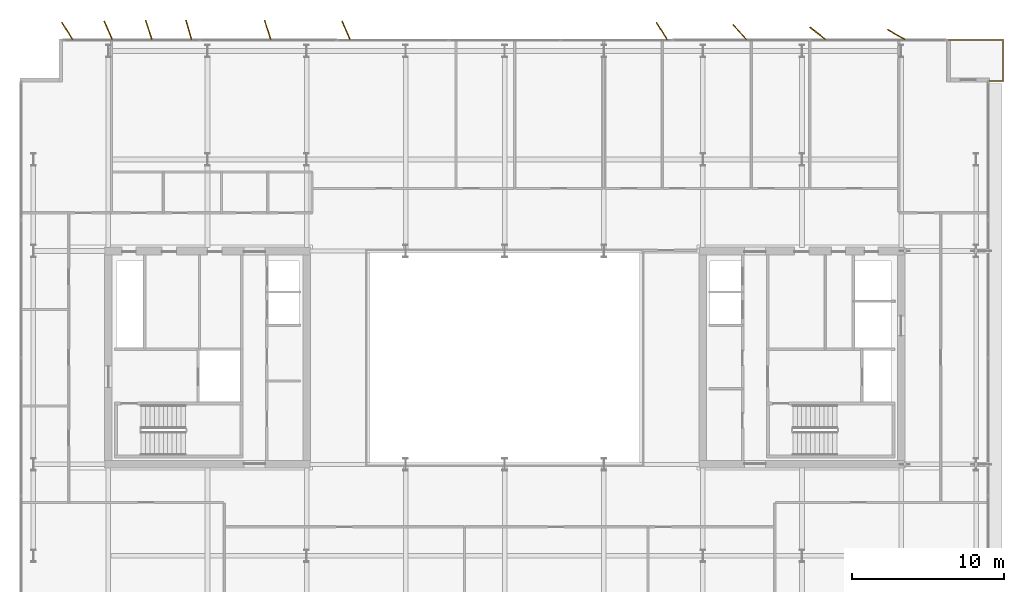
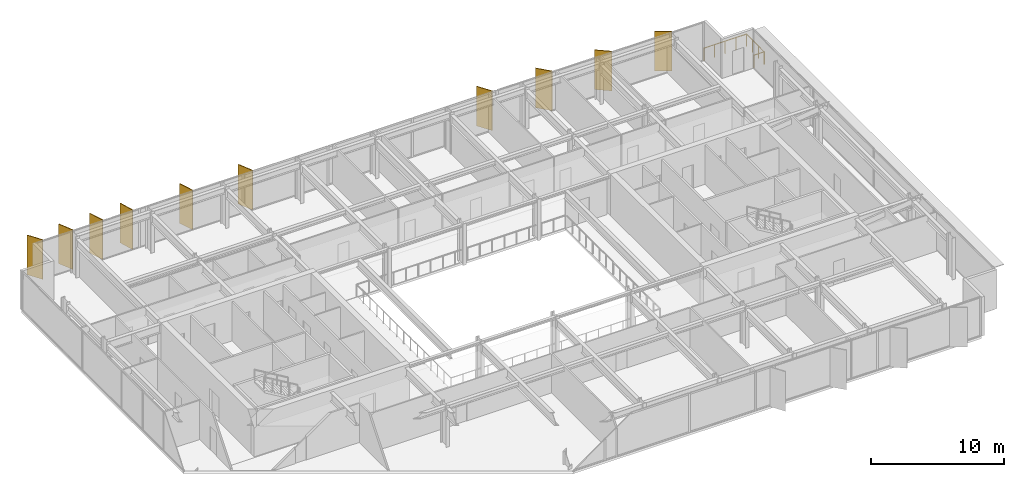
# One storey, part 19 of 19: 10 shading devices, 1 railing.
"""IFC4 building model written with IfcOpenShell, lengths in metres."""

from ifc_helpers import new_model, si_unit, direction, frame, origin, origin_2d, place, context, subcontext, project, spatial, rectangle, circle, extrude, material, layer, layer_set, type_object, element, save


model = new_model("IFC4")

# Units and contexts
model_context = context("Model", 3, precision=1e-05, world=origin(), true_north=direction((0.0, 1.0)))
body_context = subcontext(model_context, "Body", "Model", "MODEL_VIEW")
ifc_project = project(units=[si_unit("LENGTHUNIT", "METRE"), si_unit("AREAUNIT", "SQUARE_METRE"), si_unit("VOLUMEUNIT", "CUBIC_METRE"), si_unit("PLANEANGLEUNIT", "RADIAN"), si_unit("MASSUNIT", "GRAM", prefix="KILO")], contexts=[model_context])

# Site, building, storey
site_placement = place(None, origin())
site = spatial("IfcSite", under=ifc_project, at=site_placement, CompositionType="ELEMENT")
building_placement = place(site_placement, origin())
building = spatial("IfcBuilding", under=site, at=building_placement, Name="Putna Gate Headquarters", CompositionType="ELEMENT")
storey_placement = place(building_placement, frame((0.0, 0.0, 255.60009765625)))
storey = spatial("IfcBuildingStorey", under=building, at=storey_placement, Name="L64", CompositionType="ELEMENT", Elevation=255.60009765625)

# Railing
ifc_material_1 = material(Name="Anodised bronze steel and laminated glass guardrail", Category="steel")
railing_type = type_object("IfcRailingType", Name="RAIL-TERR-GUARD-1150", PredefinedType="GUARDRAIL", material=ifc_material_1)
railing_placement = place(storey_placement, frame((70.800048828125, 44.159912109375, 0.0)))
element("IfcRailing", 1, at=railing_placement, inside=storey, type_object=railing_type, Name="L64 Spiral Sky Terrace Guardrail NE", PredefinedType="GUARDRAIL", context=body_context, shape_type="SweptSolid", body=[
    extrude(circle(Radius=0.02392578125, at=origin_2d()), frame((0.0, 0.0, 1.1259765625), z_axis=(1.0, 0.0, 0.0), x_axis=(0.0, 1.0, 0.0)), (0.0, 0.0, 1.0), 0.889892578125),
    extrude(circle(Radius=0.02392578125, at=origin_2d()), frame((0.889892578125, 0.0, 1.1259765625), z_axis=(0.0, 1.0, 0.0), x_axis=(-1.0, 0.0, 0.0)), (0.0, 0.0, 1.0), 2.68017578125),
    extrude(circle(Radius=0.02392578125, at=origin_2d()), frame((0.889892578125, 2.68017578125, 1.1259765625), z_axis=(-1.0, 0.0, 0.0), x_axis=(0.0, -1.0, 0.0)), (0.0, 0.0, 1.0), 3.68994140625),
    extrude(circle(Radius=0.02099609375, at=origin_2d()), origin(), (0.0, 0.0, 1.0), 1.101806640625),
    extrude(circle(Radius=0.02099609375, at=origin_2d()), frame((0.889892578125, 0.0, 0.0)), (0.0, 0.0, 1.0), 1.101806640625),
    extrude(circle(Radius=0.02099609375, at=origin_2d()), frame((0.889892578125, 0.893310546875, 0.0)), (0.0, 0.0, 1.0), 1.101806640625),
    extrude(circle(Radius=0.02099609375, at=origin_2d()), frame((0.889892578125, 1.786865234375, 0.0)), (0.0, 0.0, 1.0), 1.101806640625),
    extrude(circle(Radius=0.02099609375, at=origin_2d()), frame((0.889892578125, 2.68017578125, 0.0)), (0.0, 0.0, 1.0), 1.101806640625),
    extrude(circle(Radius=0.02099609375, at=origin_2d()), frame((-0.03271484375, 2.68017578125, 0.0)), (0.0, 0.0, 1.0), 1.101806640625),
    extrude(circle(Radius=0.02099609375, at=origin_2d()), frame((-0.955078125, 2.68017578125, 0.0)), (0.0, 0.0, 1.0), 1.101806640625),
    extrude(circle(Radius=0.02099609375, at=origin_2d()), frame((-1.87744140625, 2.68017578125, 0.0)), (0.0, 0.0, 1.0), 1.101806640625),
    extrude(circle(Radius=0.02099609375, at=origin_2d()), frame((-2.800048828125, 2.68017578125, 0.0)), (0.0, 0.0, 1.0), 1.101806640625),
])

# Shading devices
ifc_material_2 = material(Name="Anodised architectural bronze aluminium fin", Category="aluminium")
ifc_layer = layer(ifc_material_2, 0.06494140625)
ifc_layer_set = layer_set([ifc_layer], Name="Anodised architectural bronze aluminium fin")
shading_device_type = type_object("IfcShadingDeviceType", Name="SHADE-BRONZE-FIN-1320", PredefinedType="USERDEFINED", material=ifc_layer_set)
for number, where, z_axis, x_axis, name in (
    (2, (10.2998046875, 47.434326171875, -0.02001953125), (0.0, 0.0, 1.0), (-0.530659123936, 0.847585331506, 0.0), "L64 Bronze Vertical Shading Fin N1"),
    (3, (12.985595703125, 47.479736328125, -0.02001953125), (0.0, 0.0, 1.0), (-0.400668879095, 0.916222925562, 0.0), "L64 Bronze Vertical Shading Fin N2"),
    (4, (15.646240234375, 47.502685546875, -0.02001953125), (0.0, 0.0, 1.0), (-0.308684994204, 0.951164325631, 0.0), "L64 Bronze Vertical Shading Fin N3"),
    (5, (18.26806640625, 47.509521484375, -0.02001953125), (0.0, 0.0, 1.0), (-0.275637355817, 0.961261695938, 0.0), "L64 Bronze Vertical Shading Fin N4"),
    (6, (23.4462890625, 47.502685546875, -0.02001953125), (0.0, 0.0, 1.0), (-0.308684994204, 0.951164325631, 0.0), "L64 Bronze Vertical Shading Fin N5"),
    (7, (28.585693359375, 47.479736328125, -0.02001953125), (0.0, 0.0, 1.0), (-0.400668879095, 0.916222925562, 0.0), "L64 Bronze Vertical Shading Fin N6"),
    (8, (49.2998046875, 47.434326171875, -0.02001953125), (0.0, 0.0, 1.0), (-0.530659123936, 0.847585331506, 0.0), "L64 Bronze Vertical Shading Fin N7"),
    (9, (54.408447265625, 47.365478515625, -0.02001953125), (0.0, 0.0, 1.0), (-0.669130606359, 0.743144825477, 0.0), "L64 Bronze Vertical Shading Fin N8"),
    (10, (59.5302734375, 47.28173828125, -0.02001953125), (0.0, 0.0, 1.0), (-0.787473187632, 0.616348909921, 0.0), "L64 Bronze Vertical Shading Fin N9"),
    (11, (64.67626953125, 47.201171875, -0.02001953125), (0.0, 0.0, 1.0), (-0.869322458298, 0.494245347472, 0.0), "L64 Bronze Vertical Shading Fin N10"),
):
    element("IfcShadingDevice", number, at=place(storey_placement, frame(where, z_axis=z_axis, x_axis=x_axis)), inside=storey, type_object=shading_device_type, Name=name, ObjectType="FIN", PredefinedType="USERDEFINED", context=body_context, shape_type="SweptSolid", body=[
        extrude(rectangle(XDim=1.320068359375, YDim=0.06494140625, at=origin_2d()), origin(), (0.0, 0.0, 1.0), 3.6279296875),
    ])

save(model, "model.ifc")
